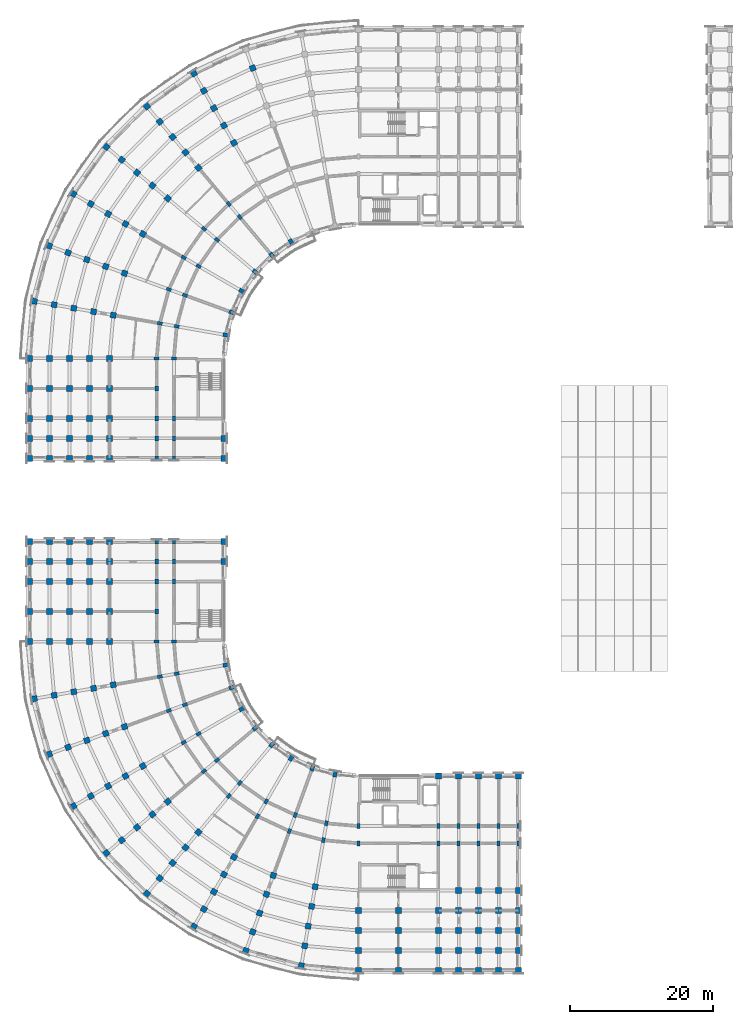
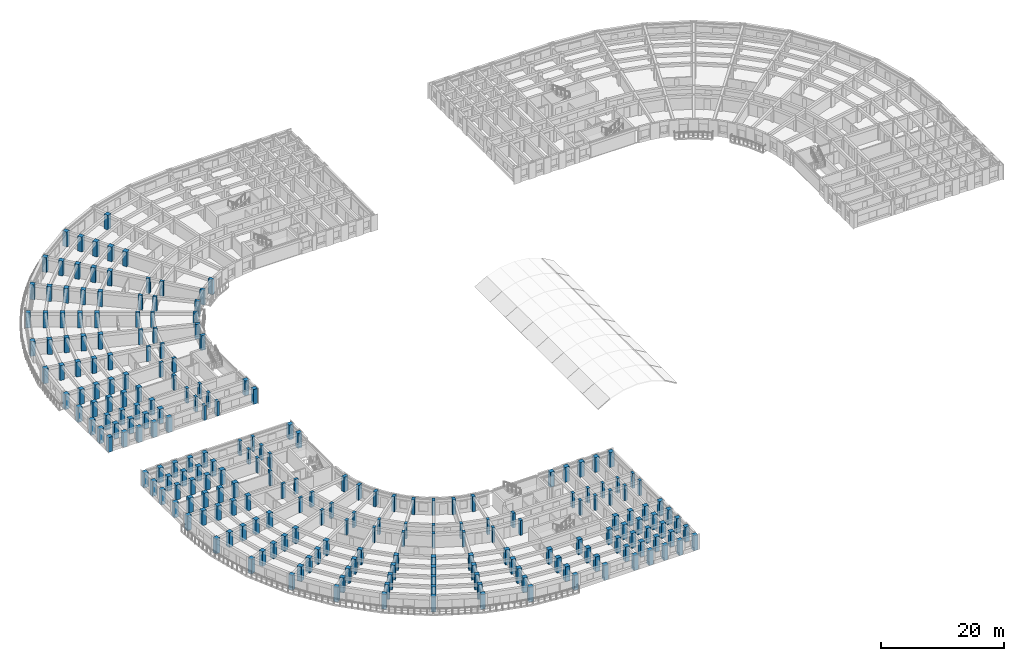
# One storey, part 1 of 54: 232 columns.
"""IFC4 building model written with IfcOpenShell, lengths in metres."""

from ifc_helpers import new_model, si_unit, direction, frame, origin, origin_2d, place, context, subcontext, project, spatial, rectangle, extrude, material, material_profile, profile_set, type_object, element, save


model = new_model("IFC4")

# Units and contexts
model_context = context("Model", 3, precision=1e-05, world=origin(), true_north=direction((0.0, 1.0)))
body_context = subcontext(model_context, "Body", "Model", "MODEL_VIEW")
ifc_project = project(units=[si_unit("LENGTHUNIT", "METRE"), si_unit("AREAUNIT", "SQUARE_METRE"), si_unit("VOLUMEUNIT", "CUBIC_METRE"), si_unit("PLANEANGLEUNIT", "RADIAN"), si_unit("MASSUNIT", "GRAM", prefix="KILO")], contexts=[model_context])

# Site, building, storey
site_placement = place(None, origin())
site = spatial("IfcSite", under=ifc_project, at=site_placement, CompositionType="ELEMENT")
building_placement = place(site_placement, origin())
building = spatial("IfcBuilding", under=site, at=building_placement, Name="Kiranvali Square Residences", CompositionType="ELEMENT")
storey_placement = place(building_placement, frame((0.0, 0.0, 15.0)))
storey = spatial("IfcBuildingStorey", under=building, at=storey_placement, Name="L04", CompositionType="ELEMENT", Elevation=15.0)

# Columns
ifc_material_1 = material(Name="Concrete M45 (45 MPa)", Category="concrete")
ifc_material_profile_1 = material_profile(ifc_material_1, rectangle(XDim=0.449951171875, YDim=0.699951171875, at=origin_2d()), Name="RC 700x450")
ifc_profile_set_1 = profile_set([ifc_material_profile_1], Name="Concrete M45 (45 MPa)")
column_type_1 = type_object("IfcColumnType", Name="COL-M45-700x450", PredefinedType="COLUMN", material=ifc_profile_set_1)
for number, where, z_axis, x_axis, name in (
    (1, (31.615966796875, 107.56396484375, 0.0), (0.0, 0.0, 1.0), (0.766044443119, 0.642787609687, 0.0), "Block A L04 radial column A04-R1"),
    (2, (30.073486328125, 109.40234375, 0.0), (0.0, 0.0, 1.0), (0.766044443119, 0.642787609687, 0.0), "Block A L04 radial column A04-R2"),
    (3, (28.43603515625, 104.384033203125, 0.0), (0.0, 0.0, 1.0), (0.642787609687, 0.766044443119, 0.0), "Block A L04 radial column A05-R1"),
    (4, (26.59765625, 105.926513671875, 0.0), (0.0, 0.0, 1.0), (0.642787609687, 0.766044443119, 0.0), "Block A L04 radial column A05-R2"),
    (5, (25.8564453125, 100.699951171875, 0.0), (0.0, 0.0, 1.0), (0.5, 0.866025403784, 0.0), "Block A L04 radial column A06-R1"),
    (6, (23.778076171875, 101.89990234375, 0.0), (0.0, 0.0, 1.0), (0.5, 0.866025403784, 0.0), "Block A L04 radial column A06-R2"),
    (7, (23.955810546875, 96.6240234375, 0.0), (0.0, 0.0, 1.0), (0.342020143326, 0.939692620786, 0.0), "Block A L04 radial column A07-R1"),
    (8, (21.70068359375, 97.445068359375, 0.0), (0.0, 0.0, 1.0), (0.342020143326, 0.939692620786, 0.0), "Block A L04 radial column A07-R2"),
    (9, (22.7919921875, 92.280029296875, 0.0), (0.0, 0.0, 1.0), (0.173648177667, 0.984807753012, 0.0), "Block A L04 radial column A08-R1"),
    (10, (20.428466796875, 92.69677734375, 0.0), (0.0, 0.0, 1.0), (0.173648177667, 0.984807753012, 0.0), "Block A L04 radial column A08-R2"),
    (11, (22.39990234375, 87.800048828125, 0.0), (0.0, 0.0, 1.0), (0.0, 1.0, 0.0), "Block A L04 radial column A09-R1"),
    (12, (20.0, 87.800048828125, 0.0), (0.0, 0.0, 1.0), (0.0, 1.0, 0.0), "Block A L04 radial column A09-R2"),
    (13, (20.0, 83.60009765625, 0.0), (0.0, 0.0, 1.0), (1.0, 0.0, 0.0), "Block A L04 Arm 2 mid-core column V0-R2"),
    (14, (22.39990234375, 79.39990234375, 0.0), (0.0, 0.0, 1.0), (1.0, 0.0, 0.0), "Block A L04 Arm 2 column V1-R1"),
    (15, (20.0, 79.39990234375, 0.0), (0.0, 0.0, 1.0), (1.0, 0.0, 0.0), "Block A L04 Arm 2 column V1-R2"),
    (16, (22.39990234375, 76.60009765625, 0.0), (0.0, 0.0, 1.0), (1.0, 0.0, 0.0), "Block A L04 Arm 2 column V2-R1"),
    (17, (20.0, 76.60009765625, 0.0), (0.0, 0.0, 1.0), (1.0, 0.0, 0.0), "Block A L04 Arm 2 column V2-R2"),
    (18, (22.39990234375, 73.800048828125, 0.0), (0.0, 0.0, 1.0), (1.0, 0.0, 0.0), "Block A L04 Arm 2 column V3-R1"),
    (19, (20.0, 73.800048828125, 0.0), (0.0, 0.0, 1.0), (1.0, 0.0, 0.0), "Block A L04 Arm 2 column V3-R2"),
    (20, (48.199951171875, 22.39990234375, 0.0), (0.0, 0.0, 1.0), (1.0, 0.0, 0.0), "Block C L04 radial column A00-R1"),
    (21, (48.199951171875, 20.0, 0.0), (0.0, 0.0, 1.0), (1.0, 0.0, 0.0), "Block C L04 radial column A00-R2"),
    (22, (43.719970703125, 22.7919921875, 0.0), (0.0, 0.0, 1.0), (-0.984807753012, 0.173648177667, 0.0), "Block C L04 radial column A01-R1"),
    (23, (43.30322265625, 20.428466796875, 0.0), (0.0, 0.0, 1.0), (-0.984807753012, 0.173648177667, 0.0), "Block C L04 radial column A01-R2"),
    (24, (39.3759765625, 23.955810546875, 0.0), (0.0, 0.0, 1.0), (-0.939692620786, 0.342020143326, 0.0), "Block C L04 radial column A02-R1"),
    (25, (38.554931640625, 21.70068359375, 0.0), (0.0, 0.0, 1.0), (-0.939692620786, 0.342020143326, 0.0), "Block C L04 radial column A02-R2"),
    (26, (35.300048828125, 25.8564453125, 0.0), (0.0, 0.0, 1.0), (-0.866025403784, 0.5, 0.0), "Block C L04 radial column A03-R1"),
    (27, (34.10009765625, 23.778076171875, 0.0), (0.0, 0.0, 1.0), (-0.866025403784, 0.5, 0.0), "Block C L04 radial column A03-R2"),
    (28, (31.615966796875, 28.43603515625, 0.0), (0.0, 0.0, 1.0), (-0.766044443119, 0.642787609687, 0.0), "Block C L04 radial column A04-R1"),
    (29, (30.073486328125, 26.59765625, 0.0), (0.0, 0.0, 1.0), (-0.766044443119, 0.642787609687, 0.0), "Block C L04 radial column A04-R2"),
    (30, (28.43603515625, 31.615966796875, 0.0), (0.0, 0.0, 1.0), (-0.642787609687, 0.766044443119, 0.0), "Block C L04 radial column A05-R1"),
    (31, (26.59765625, 30.073486328125, 0.0), (0.0, 0.0, 1.0), (-0.642787609687, 0.766044443119, 0.0), "Block C L04 radial column A05-R2"),
    (32, (25.8564453125, 35.300048828125, 0.0), (0.0, 0.0, 1.0), (-0.5, 0.866025403784, 0.0), "Block C L04 radial column A06-R1"),
    (33, (23.778076171875, 34.10009765625, 0.0), (0.0, 0.0, 1.0), (-0.5, 0.866025403784, 0.0), "Block C L04 radial column A06-R2"),
    (34, (23.955810546875, 39.3759765625, 0.0), (0.0, 0.0, 1.0), (-0.342020143326, 0.939692620786, 0.0), "Block C L04 radial column A07-R1"),
    (35, (21.70068359375, 38.554931640625, 0.0), (0.0, 0.0, 1.0), (-0.342020143326, 0.939692620786, 0.0), "Block C L04 radial column A07-R2"),
    (36, (22.7919921875, 43.719970703125, 0.0), (0.0, 0.0, 1.0), (-0.173648177667, 0.984807753012, 0.0), "Block C L04 radial column A08-R1"),
    (37, (20.428466796875, 43.30322265625, 0.0), (0.0, 0.0, 1.0), (-0.173648177667, 0.984807753012, 0.0), "Block C L04 radial column A08-R2"),
    (38, (22.39990234375, 48.199951171875, 0.0), (0.0, 0.0, 1.0), (0.0, 1.0, 0.0), "Block C L04 radial column A09-R1"),
    (39, (20.0, 48.199951171875, 0.0), (0.0, 0.0, 1.0), (0.0, 1.0, 0.0), "Block C L04 radial column A09-R2"),
    (40, (59.39990234375, 22.39990234375, 0.0), (0.0, 0.0, 1.0), (1.0, 0.0, 0.0), "Block C L04 Arm 1 column U1-R1"),
    (41, (59.39990234375, 20.0, 0.0), (0.0, 0.0, 1.0), (1.0, 0.0, 0.0), "Block C L04 Arm 1 column U1-R2"),
    (42, (62.199951171875, 22.39990234375, 0.0), (0.0, 0.0, 1.0), (1.0, 0.0, 0.0), "Block C L04 Arm 1 column U2-R1"),
    (43, (62.199951171875, 20.0, 0.0), (0.0, 0.0, 1.0), (1.0, 0.0, 0.0), "Block C L04 Arm 1 column U2-R2"),
    (44, (65.0, 22.39990234375, 0.0), (0.0, 0.0, 1.0), (1.0, 0.0, 0.0), "Block C L04 Arm 1 column U3-R1"),
    (45, (65.0, 20.0, 0.0), (0.0, 0.0, 1.0), (1.0, 0.0, 0.0), "Block C L04 Arm 1 column U3-R2"),
    (46, (67.800048828125, 22.39990234375, 0.0), (0.0, 0.0, 1.0), (1.0, 0.0, 0.0), "Block C L04 Arm 1 column U4-R1"),
    (47, (67.800048828125, 20.0, 0.0), (0.0, 0.0, 1.0), (1.0, 0.0, 0.0), "Block C L04 Arm 1 column U4-R2"),
    (48, (70.60009765625, 22.39990234375, 0.0), (0.0, 0.0, 1.0), (1.0, 0.0, 0.0), "Block C L04 Arm 1 column U5-R1"),
    (49, (70.60009765625, 20.0, 0.0), (0.0, 0.0, 1.0), (1.0, 0.0, 0.0), "Block C L04 Arm 1 column U5-R2"),
    (50, (20.0, 52.39990234375, 0.0), (0.0, 0.0, 1.0), (1.0, 0.0, 0.0), "Block C L04 Arm 2 mid-core column V0-R2"),
    (51, (22.39990234375, 56.60009765625, 0.0), (0.0, 0.0, 1.0), (1.0, 0.0, 0.0), "Block C L04 Arm 2 column V1-R1"),
    (52, (20.0, 56.60009765625, 0.0), (0.0, 0.0, 1.0), (1.0, 0.0, 0.0), "Block C L04 Arm 2 column V1-R2"),
    (53, (22.39990234375, 59.39990234375, 0.0), (0.0, 0.0, 1.0), (1.0, 0.0, 0.0), "Block C L04 Arm 2 column V2-R1"),
    (54, (20.0, 59.39990234375, 0.0), (0.0, 0.0, 1.0), (1.0, 0.0, 0.0), "Block C L04 Arm 2 column V2-R2"),
    (55, (22.39990234375, 62.199951171875, 0.0), (0.0, 0.0, 1.0), (1.0, 0.0, 0.0), "Block C L04 Arm 2 column V3-R1"),
    (56, (20.0, 62.199951171875, 0.0), (0.0, 0.0, 1.0), (1.0, 0.0, 0.0), "Block C L04 Arm 2 column V3-R2"),
):
    element("IfcColumn", number, at=place(storey_placement, frame(where, z_axis=z_axis, x_axis=x_axis)), inside=storey, type_object=column_type_1, Name=name, PredefinedType="COLUMN", context=body_context, shape_type="SweptSolid", body=[
        extrude(rectangle(XDim=0.449951171875, YDim=0.699951171875, at=origin_2d()), origin(), (0.0, 0.0, 1.0), 2.929931640625),
    ])
ifc_material_2 = material(Name="Concrete M50 (50 MPa)", Category="concrete")
ifc_material_profile_2 = material_profile(ifc_material_2, rectangle(XDim=0.800048828125, YDim=0.800048828125, at=origin_2d()), Name="RC 800x800")
ifc_profile_set_2 = profile_set([ifc_material_profile_2], Name="Concrete M50 (50 MPa)")
column_type_2 = type_object("IfcColumnType", Name="COL-M50-800", PredefinedType="COLUMN", material=ifc_profile_set_2)
for number, where, z_axis, x_axis, name in (
    (57, (33.4248046875, 128.394775390625, 0.0), (0.0, 0.0, 1.0), (0.939692620786, 0.342020143326, 0.0), "Block A L04 radial column A02-R6"),
    (58, (30.800048828125, 117.937744140625, 0.0), (0.0, 0.0, 1.0), (0.866025403784, 0.5, 0.0), "Block A L04 radial column A03-R3"),
    (59, (29.39990234375, 120.362548828125, 0.0), (0.0, 0.0, 1.0), (0.866025403784, 0.5, 0.0), "Block A L04 radial column A03-R4"),
    (60, (28.0, 122.787353515625, 0.0), (0.0, 0.0, 1.0), (0.866025403784, 0.5, 0.0), "Block A L04 radial column A03-R5"),
    (61, (26.60009765625, 125.21240234375, 0.0), (0.0, 0.0, 1.0), (0.866025403784, 0.5, 0.0), "Block A L04 radial column A03-R6"),
    (62, (25.199951171875, 127.63720703125, 0.0), (0.0, 0.0, 1.0), (0.866025403784, 0.5, 0.0), "Block A L04 radial column A03-R7"),
    (63, (25.8310546875, 114.458251953125, 0.0), (0.0, 0.0, 1.0), (0.766044443119, 0.642787609687, 0.0), "Block A L04 radial column A04-R3"),
    (64, (24.03125, 116.603271484375, 0.0), (0.0, 0.0, 1.0), (0.766044443119, 0.642787609687, 0.0), "Block A L04 radial column A04-R4"),
    (65, (22.2314453125, 118.748291015625, 0.0), (0.0, 0.0, 1.0), (0.766044443119, 0.642787609687, 0.0), "Block A L04 radial column A04-R5"),
    (66, (20.431640625, 120.89306640625, 0.0), (0.0, 0.0, 1.0), (0.766044443119, 0.642787609687, 0.0), "Block A L04 radial column A04-R6"),
    (67, (18.6318359375, 123.0380859375, 0.0), (0.0, 0.0, 1.0), (0.766044443119, 0.642787609687, 0.0), "Block A L04 radial column A04-R7"),
    (68, (21.541748046875, 110.1689453125, 0.0), (0.0, 0.0, 1.0), (0.642787609687, 0.766044443119, 0.0), "Block A L04 radial column A05-R3"),
    (69, (19.396728515625, 111.96875, 0.0), (0.0, 0.0, 1.0), (0.642787609687, 0.766044443119, 0.0), "Block A L04 radial column A05-R4"),
    (70, (17.251708984375, 113.7685546875, 0.0), (0.0, 0.0, 1.0), (0.642787609687, 0.766044443119, 0.0), "Block A L04 radial column A05-R5"),
    (71, (15.10693359375, 115.568359375, 0.0), (0.0, 0.0, 1.0), (0.642787609687, 0.766044443119, 0.0), "Block A L04 radial column A05-R6"),
    (72, (12.9619140625, 117.3681640625, 0.0), (0.0, 0.0, 1.0), (0.642787609687, 0.766044443119, 0.0), "Block A L04 radial column A05-R7"),
    (73, (18.062255859375, 105.199951171875, 0.0), (0.0, 0.0, 1.0), (0.5, 0.866025403784, 0.0), "Block A L04 radial column A06-R3"),
    (74, (15.637451171875, 106.60009765625, 0.0), (0.0, 0.0, 1.0), (0.5, 0.866025403784, 0.0), "Block A L04 radial column A06-R4"),
    (75, (13.212646484375, 108.0, 0.0), (0.0, 0.0, 1.0), (0.5, 0.866025403784, 0.0), "Block A L04 radial column A06-R5"),
    (76, (10.78759765625, 109.39990234375, 0.0), (0.0, 0.0, 1.0), (0.5, 0.866025403784, 0.0), "Block A L04 radial column A06-R6"),
    (77, (8.36279296875, 110.800048828125, 0.0), (0.0, 0.0, 1.0), (0.5, 0.866025403784, 0.0), "Block A L04 radial column A06-R7"),
    (78, (15.498779296875, 99.702392578125, 0.0), (0.0, 0.0, 1.0), (0.342020143326, 0.939692620786, 0.0), "Block A L04 radial column A07-R3"),
    (79, (12.86767578125, 100.659912109375, 0.0), (0.0, 0.0, 1.0), (0.342020143326, 0.939692620786, 0.0), "Block A L04 radial column A07-R4"),
    (80, (10.236328125, 101.61767578125, 0.0), (0.0, 0.0, 1.0), (0.342020143326, 0.939692620786, 0.0), "Block A L04 radial column A07-R5"),
    (81, (7.605224609375, 102.5751953125, 0.0), (0.0, 0.0, 1.0), (0.342020143326, 0.939692620786, 0.0), "Block A L04 radial column A07-R6"),
    (82, (4.97412109375, 103.532958984375, 0.0), (0.0, 0.0, 1.0), (0.342020143326, 0.939692620786, 0.0), "Block A L04 radial column A07-R7"),
    (83, (13.9287109375, 93.843017578125, 0.0), (0.0, 0.0, 1.0), (0.173648177667, 0.984807753012, 0.0), "Block A L04 radial column A08-R3"),
    (84, (11.171142578125, 94.3291015625, 0.0), (0.0, 0.0, 1.0), (0.173648177667, 0.984807753012, 0.0), "Block A L04 radial column A08-R4"),
    (85, (8.413818359375, 94.8154296875, 0.0), (0.0, 0.0, 1.0), (0.173648177667, 0.984807753012, 0.0), "Block A L04 radial column A08-R5"),
    (86, (5.65625, 95.301513671875, 0.0), (0.0, 0.0, 1.0), (0.173648177667, 0.984807753012, 0.0), "Block A L04 radial column A08-R6"),
    (87, (2.89892578125, 95.787841796875, 0.0), (0.0, 0.0, 1.0), (0.173648177667, 0.984807753012, 0.0), "Block A L04 radial column A08-R7"),
    (88, (13.39990234375, 87.800048828125, 0.0), (0.0, 0.0, 1.0), (0.0, 1.0, 0.0), "Block A L04 radial column A09-R3"),
    (89, (10.60009765625, 87.800048828125, 0.0), (0.0, 0.0, 1.0), (0.0, 1.0, 0.0), "Block A L04 radial column A09-R4"),
    (90, (7.800048828125, 87.800048828125, 0.0), (0.0, 0.0, 1.0), (0.0, 1.0, 0.0), "Block A L04 radial column A09-R5"),
    (91, (5.0, 87.800048828125, 0.0), (0.0, 0.0, 1.0), (0.0, 1.0, 0.0), "Block A L04 radial column A09-R6"),
    (92, (2.199951171875, 87.800048828125, 0.0), (0.0, 0.0, 1.0), (0.0, 1.0, 0.0), "Block A L04 radial column A09-R7"),
    (93, (13.39990234375, 83.60009765625, 0.0), (0.0, 0.0, 1.0), (1.0, 0.0, 0.0), "Block A L04 Arm 2 mid-core column V0-R3"),
    (94, (10.60009765625, 83.60009765625, 0.0), (0.0, 0.0, 1.0), (1.0, 0.0, 0.0), "Block A L04 Arm 2 mid-core column V0-R4"),
    (95, (7.800048828125, 83.60009765625, 0.0), (0.0, 0.0, 1.0), (1.0, 0.0, 0.0), "Block A L04 Arm 2 mid-core column V0-R5"),
    (96, (5.0, 83.60009765625, 0.0), (0.0, 0.0, 1.0), (1.0, 0.0, 0.0), "Block A L04 Arm 2 mid-core column V0-R6"),
    (97, (2.199951171875, 83.60009765625, 0.0), (0.0, 0.0, 1.0), (1.0, 0.0, 0.0), "Block A L04 Arm 2 mid-core column V0-R7"),
    (98, (13.39990234375, 79.39990234375, 0.0), (0.0, 0.0, 1.0), (1.0, 0.0, 0.0), "Block A L04 Arm 2 column V1-R3"),
    (99, (10.60009765625, 79.39990234375, 0.0), (0.0, 0.0, 1.0), (1.0, 0.0, 0.0), "Block A L04 Arm 2 column V1-R4"),
    (100, (7.800048828125, 79.39990234375, 0.0), (0.0, 0.0, 1.0), (1.0, 0.0, 0.0), "Block A L04 Arm 2 column V1-R5"),
    (101, (5.0, 79.39990234375, 0.0), (0.0, 0.0, 1.0), (1.0, 0.0, 0.0), "Block A L04 Arm 2 column V1-R6"),
    (102, (2.199951171875, 79.39990234375, 0.0), (0.0, 0.0, 1.0), (1.0, 0.0, 0.0), "Block A L04 Arm 2 column V1-R7"),
    (103, (29.39990234375, 76.60009765625, 0.0), (0.0, 0.0, 1.0), (1.0, 0.0, 0.0), "Block A L04 Arm 2 column V2-R0"),
    (104, (13.39990234375, 76.60009765625, 0.0), (0.0, 0.0, 1.0), (1.0, 0.0, 0.0), "Block A L04 Arm 2 column V2-R3"),
    (105, (10.60009765625, 76.60009765625, 0.0), (0.0, 0.0, 1.0), (1.0, 0.0, 0.0), "Block A L04 Arm 2 column V2-R4"),
    (106, (7.800048828125, 76.60009765625, 0.0), (0.0, 0.0, 1.0), (1.0, 0.0, 0.0), "Block A L04 Arm 2 column V2-R5"),
    (107, (5.0, 76.60009765625, 0.0), (0.0, 0.0, 1.0), (1.0, 0.0, 0.0), "Block A L04 Arm 2 column V2-R6"),
    (108, (2.199951171875, 76.60009765625, 0.0), (0.0, 0.0, 1.0), (1.0, 0.0, 0.0), "Block A L04 Arm 2 column V2-R7"),
    (109, (29.39990234375, 73.800048828125, 0.0), (0.0, 0.0, 1.0), (1.0, 0.0, 0.0), "Block A L04 Arm 2 column V3-R0"),
    (110, (13.39990234375, 73.800048828125, 0.0), (0.0, 0.0, 1.0), (1.0, 0.0, 0.0), "Block A L04 Arm 2 column V3-R3"),
    (111, (10.60009765625, 73.800048828125, 0.0), (0.0, 0.0, 1.0), (1.0, 0.0, 0.0), "Block A L04 Arm 2 column V3-R4"),
    (112, (7.800048828125, 73.800048828125, 0.0), (0.0, 0.0, 1.0), (1.0, 0.0, 0.0), "Block A L04 Arm 2 column V3-R5"),
    (113, (5.0, 73.800048828125, 0.0), (0.0, 0.0, 1.0), (1.0, 0.0, 0.0), "Block A L04 Arm 2 column V3-R6"),
    (114, (2.199951171875, 73.800048828125, 0.0), (0.0, 0.0, 1.0), (1.0, 0.0, 0.0), "Block A L04 Arm 2 column V3-R7"),
    (115, (48.199951171875, 10.60009765625, 0.0), (0.0, 0.0, 1.0), (1.0, 0.0, 0.0), "Block C L04 radial column A00-R4"),
    (116, (48.199951171875, 7.800048828125, 0.0), (0.0, 0.0, 1.0), (1.0, 0.0, 0.0), "Block C L04 radial column A00-R5"),
    (117, (48.199951171875, 5.0, 0.0), (0.0, 0.0, 1.0), (1.0, 0.0, 0.0), "Block C L04 radial column A00-R6"),
    (118, (48.199951171875, 2.199951171875, 0.0), (0.0, 0.0, 1.0), (1.0, 0.0, 0.0), "Block C L04 radial column A00-R7"),
    (119, (42.156982421875, 13.9287109375, 0.0), (0.0, 0.0, 1.0), (-0.984807753012, 0.173648177667, 0.0), "Block C L04 radial column A01-R3"),
    (120, (41.6708984375, 11.171142578125, 0.0), (0.0, 0.0, 1.0), (-0.984807753012, 0.173648177667, 0.0), "Block C L04 radial column A01-R4"),
    (121, (41.1845703125, 8.413818359375, 0.0), (0.0, 0.0, 1.0), (-0.984807753012, 0.173648177667, 0.0), "Block C L04 radial column A01-R5"),
    (122, (40.698486328125, 5.65625, 0.0), (0.0, 0.0, 1.0), (-0.984807753012, 0.173648177667, 0.0), "Block C L04 radial column A01-R6"),
    (123, (40.212158203125, 2.89892578125, 0.0), (0.0, 0.0, 1.0), (-0.984807753012, 0.173648177667, 0.0), "Block C L04 radial column A01-R7"),
    (124, (36.297607421875, 15.498779296875, 0.0), (0.0, 0.0, 1.0), (-0.939692620786, 0.342020143326, 0.0), "Block C L04 radial column A02-R3"),
    (125, (35.340087890625, 12.86767578125, 0.0), (0.0, 0.0, 1.0), (-0.939692620786, 0.342020143326, 0.0), "Block C L04 radial column A02-R4"),
    (126, (34.38232421875, 10.236328125, 0.0), (0.0, 0.0, 1.0), (-0.939692620786, 0.342020143326, 0.0), "Block C L04 radial column A02-R5"),
    (127, (33.4248046875, 7.605224609375, 0.0), (0.0, 0.0, 1.0), (-0.939692620786, 0.342020143326, 0.0), "Block C L04 radial column A02-R6"),
    (128, (32.467041015625, 4.97412109375, 0.0), (0.0, 0.0, 1.0), (-0.939692620786, 0.342020143326, 0.0), "Block C L04 radial column A02-R7"),
    (129, (30.800048828125, 18.062255859375, 0.0), (0.0, 0.0, 1.0), (-0.866025403784, 0.5, 0.0), "Block C L04 radial column A03-R3"),
    (130, (29.39990234375, 15.637451171875, 0.0), (0.0, 0.0, 1.0), (-0.866025403784, 0.5, 0.0), "Block C L04 radial column A03-R4"),
    (131, (28.0, 13.212646484375, 0.0), (0.0, 0.0, 1.0), (-0.866025403784, 0.5, 0.0), "Block C L04 radial column A03-R5"),
    (132, (26.60009765625, 10.78759765625, 0.0), (0.0, 0.0, 1.0), (-0.866025403784, 0.5, 0.0), "Block C L04 radial column A03-R6"),
    (133, (25.199951171875, 8.36279296875, 0.0), (0.0, 0.0, 1.0), (-0.866025403784, 0.5, 0.0), "Block C L04 radial column A03-R7"),
    (134, (25.8310546875, 21.541748046875, 0.0), (0.0, 0.0, 1.0), (-0.766044443119, 0.642787609687, 0.0), "Block C L04 radial column A04-R3"),
    (135, (24.03125, 19.396728515625, 0.0), (0.0, 0.0, 1.0), (-0.766044443119, 0.642787609687, 0.0), "Block C L04 radial column A04-R4"),
    (136, (22.2314453125, 17.251708984375, 0.0), (0.0, 0.0, 1.0), (-0.766044443119, 0.642787609687, 0.0), "Block C L04 radial column A04-R5"),
    (137, (20.431640625, 15.10693359375, 0.0), (0.0, 0.0, 1.0), (-0.766044443119, 0.642787609687, 0.0), "Block C L04 radial column A04-R6"),
    (138, (18.6318359375, 12.9619140625, 0.0), (0.0, 0.0, 1.0), (-0.766044443119, 0.642787609687, 0.0), "Block C L04 radial column A04-R7"),
    (139, (21.541748046875, 25.8310546875, 0.0), (0.0, 0.0, 1.0), (-0.642787609687, 0.766044443119, 0.0), "Block C L04 radial column A05-R3"),
    (140, (19.396728515625, 24.03125, 0.0), (0.0, 0.0, 1.0), (-0.642787609687, 0.766044443119, 0.0), "Block C L04 radial column A05-R4"),
    (141, (17.251708984375, 22.2314453125, 0.0), (0.0, 0.0, 1.0), (-0.642787609687, 0.766044443119, 0.0), "Block C L04 radial column A05-R5"),
    (142, (15.10693359375, 20.431640625, 0.0), (0.0, 0.0, 1.0), (-0.642787609687, 0.766044443119, 0.0), "Block C L04 radial column A05-R6"),
    (143, (12.9619140625, 18.6318359375, 0.0), (0.0, 0.0, 1.0), (-0.642787609687, 0.766044443119, 0.0), "Block C L04 radial column A05-R7"),
    (144, (18.062255859375, 30.800048828125, 0.0), (0.0, 0.0, 1.0), (-0.5, 0.866025403784, 0.0), "Block C L04 radial column A06-R3"),
    (145, (15.637451171875, 29.39990234375, 0.0), (0.0, 0.0, 1.0), (-0.5, 0.866025403784, 0.0), "Block C L04 radial column A06-R4"),
    (146, (13.212646484375, 28.0, 0.0), (0.0, 0.0, 1.0), (-0.5, 0.866025403784, 0.0), "Block C L04 radial column A06-R5"),
    (147, (10.78759765625, 26.60009765625, 0.0), (0.0, 0.0, 1.0), (-0.5, 0.866025403784, 0.0), "Block C L04 radial column A06-R6"),
    (148, (8.36279296875, 25.199951171875, 0.0), (0.0, 0.0, 1.0), (-0.5, 0.866025403784, 0.0), "Block C L04 radial column A06-R7"),
    (149, (15.498779296875, 36.297607421875, 0.0), (0.0, 0.0, 1.0), (-0.342020143326, 0.939692620786, 0.0), "Block C L04 radial column A07-R3"),
    (150, (12.86767578125, 35.340087890625, 0.0), (0.0, 0.0, 1.0), (-0.342020143326, 0.939692620786, 0.0), "Block C L04 radial column A07-R4"),
    (151, (10.236328125, 34.38232421875, 0.0), (0.0, 0.0, 1.0), (-0.342020143326, 0.939692620786, 0.0), "Block C L04 radial column A07-R5"),
    (152, (7.605224609375, 33.4248046875, 0.0), (0.0, 0.0, 1.0), (-0.342020143326, 0.939692620786, 0.0), "Block C L04 radial column A07-R6"),
    (153, (4.97412109375, 32.467041015625, 0.0), (0.0, 0.0, 1.0), (-0.342020143326, 0.939692620786, 0.0), "Block C L04 radial column A07-R7"),
    (154, (13.9287109375, 42.156982421875, 0.0), (0.0, 0.0, 1.0), (-0.173648177667, 0.984807753012, 0.0), "Block C L04 radial column A08-R3"),
    (155, (11.171142578125, 41.6708984375, 0.0), (0.0, 0.0, 1.0), (-0.173648177667, 0.984807753012, 0.0), "Block C L04 radial column A08-R4"),
    (156, (8.413818359375, 41.1845703125, 0.0), (0.0, 0.0, 1.0), (-0.173648177667, 0.984807753012, 0.0), "Block C L04 radial column A08-R5"),
    (157, (5.65625, 40.698486328125, 0.0), (0.0, 0.0, 1.0), (-0.173648177667, 0.984807753012, 0.0), "Block C L04 radial column A08-R6"),
    (158, (2.89892578125, 40.212158203125, 0.0), (0.0, 0.0, 1.0), (-0.173648177667, 0.984807753012, 0.0), "Block C L04 radial column A08-R7"),
    (159, (13.39990234375, 48.199951171875, 0.0), (0.0, 0.0, 1.0), (0.0, 1.0, 0.0), "Block C L04 radial column A09-R3"),
    (160, (10.60009765625, 48.199951171875, 0.0), (0.0, 0.0, 1.0), (0.0, 1.0, 0.0), "Block C L04 radial column A09-R4"),
    (161, (7.800048828125, 48.199951171875, 0.0), (0.0, 0.0, 1.0), (0.0, 1.0, 0.0), "Block C L04 radial column A09-R5"),
    (162, (5.0, 48.199951171875, 0.0), (0.0, 0.0, 1.0), (0.0, 1.0, 0.0), "Block C L04 radial column A09-R6"),
    (163, (2.199951171875, 48.199951171875, 0.0), (0.0, 0.0, 1.0), (0.0, 1.0, 0.0), "Block C L04 radial column A09-R7"),
    (164, (53.800048828125, 10.60009765625, 0.0), (0.0, 0.0, 1.0), (1.0, 0.0, 0.0), "Block C L04 core-front column U0-R4"),
    (165, (53.800048828125, 7.800048828125, 0.0), (0.0, 0.0, 1.0), (1.0, 0.0, 0.0), "Block C L04 core-front column U0-R5"),
    (166, (53.800048828125, 5.0, 0.0), (0.0, 0.0, 1.0), (1.0, 0.0, 0.0), "Block C L04 core-front column U0-R6"),
    (167, (53.800048828125, 2.199951171875, 0.0), (0.0, 0.0, 1.0), (1.0, 0.0, 0.0), "Block C L04 core-front column U0-R7"),
    (168, (59.39990234375, 29.39990234375, 0.0), (0.0, 0.0, 1.0), (1.0, 0.0, 0.0), "Block C L04 Arm 1 column U1-R0"),
    (169, (59.39990234375, 10.60009765625, 0.0), (0.0, 0.0, 1.0), (1.0, 0.0, 0.0), "Block C L04 Arm 1 column U1-R4"),
    (170, (59.39990234375, 7.800048828125, 0.0), (0.0, 0.0, 1.0), (1.0, 0.0, 0.0), "Block C L04 Arm 1 column U1-R5"),
    (171, (59.39990234375, 5.0, 0.0), (0.0, 0.0, 1.0), (1.0, 0.0, 0.0), "Block C L04 Arm 1 column U1-R6"),
    (172, (59.39990234375, 2.199951171875, 0.0), (0.0, 0.0, 1.0), (1.0, 0.0, 0.0), "Block C L04 Arm 1 column U1-R7"),
    (173, (62.199951171875, 29.39990234375, 0.0), (0.0, 0.0, 1.0), (1.0, 0.0, 0.0), "Block C L04 Arm 1 column U2-R0"),
    (174, (62.199951171875, 13.39990234375, 0.0), (0.0, 0.0, 1.0), (1.0, 0.0, 0.0), "Block C L04 Arm 1 column U2-R3"),
    (175, (62.199951171875, 10.60009765625, 0.0), (0.0, 0.0, 1.0), (1.0, 0.0, 0.0), "Block C L04 Arm 1 column U2-R4"),
    (176, (62.199951171875, 7.800048828125, 0.0), (0.0, 0.0, 1.0), (1.0, 0.0, 0.0), "Block C L04 Arm 1 column U2-R5"),
    (177, (62.199951171875, 5.0, 0.0), (0.0, 0.0, 1.0), (1.0, 0.0, 0.0), "Block C L04 Arm 1 column U2-R6"),
    (178, (62.199951171875, 2.199951171875, 0.0), (0.0, 0.0, 1.0), (1.0, 0.0, 0.0), "Block C L04 Arm 1 column U2-R7"),
    (179, (65.0, 29.39990234375, 0.0), (0.0, 0.0, 1.0), (1.0, 0.0, 0.0), "Block C L04 Arm 1 column U3-R0"),
    (180, (65.0, 13.39990234375, 0.0), (0.0, 0.0, 1.0), (1.0, 0.0, 0.0), "Block C L04 Arm 1 column U3-R3"),
    (181, (65.0, 10.60009765625, 0.0), (0.0, 0.0, 1.0), (1.0, 0.0, 0.0), "Block C L04 Arm 1 column U3-R4"),
    (182, (65.0, 7.800048828125, 0.0), (0.0, 0.0, 1.0), (1.0, 0.0, 0.0), "Block C L04 Arm 1 column U3-R5"),
    (183, (65.0, 5.0, 0.0), (0.0, 0.0, 1.0), (1.0, 0.0, 0.0), "Block C L04 Arm 1 column U3-R6"),
    (184, (65.0, 2.199951171875, 0.0), (0.0, 0.0, 1.0), (1.0, 0.0, 0.0), "Block C L04 Arm 1 column U3-R7"),
    (185, (67.800048828125, 29.39990234375, 0.0), (0.0, 0.0, 1.0), (1.0, 0.0, 0.0), "Block C L04 Arm 1 column U4-R0"),
    (186, (67.800048828125, 13.39990234375, 0.0), (0.0, 0.0, 1.0), (1.0, 0.0, 0.0), "Block C L04 Arm 1 column U4-R3"),
    (187, (67.800048828125, 10.60009765625, 0.0), (0.0, 0.0, 1.0), (1.0, 0.0, 0.0), "Block C L04 Arm 1 column U4-R4"),
    (188, (67.800048828125, 7.800048828125, 0.0), (0.0, 0.0, 1.0), (1.0, 0.0, 0.0), "Block C L04 Arm 1 column U4-R5"),
    (189, (67.800048828125, 5.0, 0.0), (0.0, 0.0, 1.0), (1.0, 0.0, 0.0), "Block C L04 Arm 1 column U4-R6"),
    (190, (67.800048828125, 2.199951171875, 0.0), (0.0, 0.0, 1.0), (1.0, 0.0, 0.0), "Block C L04 Arm 1 column U4-R7"),
    (191, (70.60009765625, 29.39990234375, 0.0), (0.0, 0.0, 1.0), (1.0, 0.0, 0.0), "Block C L04 Arm 1 column U5-R0"),
    (192, (70.60009765625, 13.39990234375, 0.0), (0.0, 0.0, 1.0), (1.0, 0.0, 0.0), "Block C L04 Arm 1 column U5-R3"),
    (193, (70.60009765625, 10.60009765625, 0.0), (0.0, 0.0, 1.0), (1.0, 0.0, 0.0), "Block C L04 Arm 1 column U5-R4"),
    (194, (70.60009765625, 7.800048828125, 0.0), (0.0, 0.0, 1.0), (1.0, 0.0, 0.0), "Block C L04 Arm 1 column U5-R5"),
    (195, (70.60009765625, 5.0, 0.0), (0.0, 0.0, 1.0), (1.0, 0.0, 0.0), "Block C L04 Arm 1 column U5-R6"),
    (196, (70.60009765625, 2.199951171875, 0.0), (0.0, 0.0, 1.0), (1.0, 0.0, 0.0), "Block C L04 Arm 1 column U5-R7"),
    (197, (13.39990234375, 52.39990234375, 0.0), (0.0, 0.0, 1.0), (1.0, 0.0, 0.0), "Block C L04 Arm 2 mid-core column V0-R3"),
    (198, (10.60009765625, 52.39990234375, 0.0), (0.0, 0.0, 1.0), (1.0, 0.0, 0.0), "Block C L04 Arm 2 mid-core column V0-R4"),
    (199, (7.800048828125, 52.39990234375, 0.0), (0.0, 0.0, 1.0), (1.0, 0.0, 0.0), "Block C L04 Arm 2 mid-core column V0-R5"),
    (200, (5.0, 52.39990234375, 0.0), (0.0, 0.0, 1.0), (1.0, 0.0, 0.0), "Block C L04 Arm 2 mid-core column V0-R6"),
    (201, (2.199951171875, 52.39990234375, 0.0), (0.0, 0.0, 1.0), (1.0, 0.0, 0.0), "Block C L04 Arm 2 mid-core column V0-R7"),
    (202, (13.39990234375, 56.60009765625, 0.0), (0.0, 0.0, 1.0), (1.0, 0.0, 0.0), "Block C L04 Arm 2 column V1-R3"),
    (203, (10.60009765625, 56.60009765625, 0.0), (0.0, 0.0, 1.0), (1.0, 0.0, 0.0), "Block C L04 Arm 2 column V1-R4"),
    (204, (7.800048828125, 56.60009765625, 0.0), (0.0, 0.0, 1.0), (1.0, 0.0, 0.0), "Block C L04 Arm 2 column V1-R5"),
    (205, (5.0, 56.60009765625, 0.0), (0.0, 0.0, 1.0), (1.0, 0.0, 0.0), "Block C L04 Arm 2 column V1-R6"),
    (206, (2.199951171875, 56.60009765625, 0.0), (0.0, 0.0, 1.0), (1.0, 0.0, 0.0), "Block C L04 Arm 2 column V1-R7"),
    (207, (29.39990234375, 59.39990234375, 0.0), (0.0, 0.0, 1.0), (1.0, 0.0, 0.0), "Block C L04 Arm 2 column V2-R0"),
    (208, (13.39990234375, 59.39990234375, 0.0), (0.0, 0.0, 1.0), (1.0, 0.0, 0.0), "Block C L04 Arm 2 column V2-R3"),
    (209, (10.60009765625, 59.39990234375, 0.0), (0.0, 0.0, 1.0), (1.0, 0.0, 0.0), "Block C L04 Arm 2 column V2-R4"),
    (210, (7.800048828125, 59.39990234375, 0.0), (0.0, 0.0, 1.0), (1.0, 0.0, 0.0), "Block C L04 Arm 2 column V2-R5"),
    (211, (5.0, 59.39990234375, 0.0), (0.0, 0.0, 1.0), (1.0, 0.0, 0.0), "Block C L04 Arm 2 column V2-R6"),
    (212, (2.199951171875, 59.39990234375, 0.0), (0.0, 0.0, 1.0), (1.0, 0.0, 0.0), "Block C L04 Arm 2 column V2-R7"),
    (213, (29.39990234375, 62.199951171875, 0.0), (0.0, 0.0, 1.0), (1.0, 0.0, 0.0), "Block C L04 Arm 2 column V3-R0"),
    (214, (13.39990234375, 62.199951171875, 0.0), (0.0, 0.0, 1.0), (1.0, 0.0, 0.0), "Block C L04 Arm 2 column V3-R3"),
    (215, (10.60009765625, 62.199951171875, 0.0), (0.0, 0.0, 1.0), (1.0, 0.0, 0.0), "Block C L04 Arm 2 column V3-R4"),
    (216, (7.800048828125, 62.199951171875, 0.0), (0.0, 0.0, 1.0), (1.0, 0.0, 0.0), "Block C L04 Arm 2 column V3-R5"),
    (217, (5.0, 62.199951171875, 0.0), (0.0, 0.0, 1.0), (1.0, 0.0, 0.0), "Block C L04 Arm 2 column V3-R6"),
    (218, (2.199951171875, 62.199951171875, 0.0), (0.0, 0.0, 1.0), (1.0, 0.0, 0.0), "Block C L04 Arm 2 column V3-R7"),
):
    element("IfcColumn", number, at=place(storey_placement, frame(where, z_axis=z_axis, x_axis=x_axis)), inside=storey, type_object=column_type_2, Name=name, PredefinedType="COLUMN", context=body_context, shape_type="SweptSolid", body=[
        extrude(rectangle(XDim=0.800048828125, YDim=0.800048828125, at=origin_2d()), origin(), (0.0, 0.0, 1.0), 2.929931640625),
    ])
ifc_material_profile_3 = material_profile(ifc_material_2, rectangle(XDim=0.550048828125, YDim=0.85009765625, at=origin_2d()), Name="RC 850x550")
ifc_profile_set_3 = profile_set([ifc_material_profile_3], Name="Concrete M50 (50 MPa)")
column_type_3 = type_object("IfcColumnType", Name="COL-M50-850x550", PredefinedType="COLUMN", material=ifc_profile_set_3)
for number, where, z_axis, x_axis, name in (
    (219, (38.800048828125, 104.081298828125, 0.0), (0.0, 0.0, 1.0), (0.866025403784, 0.5, 0.0), "Block A L04 radial column A03-R0"),
    (220, (36.115478515625, 102.20166015625, 0.0), (0.0, 0.0, 1.0), (0.766044443119, 0.642787609687, 0.0), "Block A L04 radial column A04-R0"),
    (221, (33.79833984375, 99.884521484375, 0.0), (0.0, 0.0, 1.0), (0.642787609687, 0.766044443119, 0.0), "Block A L04 radial column A05-R0"),
    (222, (31.918701171875, 97.199951171875, 0.0), (0.0, 0.0, 1.0), (0.5, 0.866025403784, 0.0), "Block A L04 radial column A06-R0"),
    (223, (30.53369140625, 94.22998046875, 0.0), (0.0, 0.0, 1.0), (0.342020143326, 0.939692620786, 0.0), "Block A L04 radial column A07-R0"),
    (224, (29.685546875, 91.064697265625, 0.0), (0.0, 0.0, 1.0), (0.173648177667, 0.984807753012, 0.0), "Block A L04 radial column A08-R0"),
    (225, (44.935302734375, 29.685546875, 0.0), (0.0, 0.0, 1.0), (-0.984807753012, 0.173648177667, 0.0), "Block C L04 radial column A01-R0"),
    (226, (41.77001953125, 30.53369140625, 0.0), (0.0, 0.0, 1.0), (-0.939692620786, 0.342020143326, 0.0), "Block C L04 radial column A02-R0"),
    (227, (38.800048828125, 31.918701171875, 0.0), (0.0, 0.0, 1.0), (-0.866025403784, 0.5, 0.0), "Block C L04 radial column A03-R0"),
    (228, (36.115478515625, 33.79833984375, 0.0), (0.0, 0.0, 1.0), (-0.766044443119, 0.642787609687, 0.0), "Block C L04 radial column A04-R0"),
    (229, (33.79833984375, 36.115478515625, 0.0), (0.0, 0.0, 1.0), (-0.642787609687, 0.766044443119, 0.0), "Block C L04 radial column A05-R0"),
    (230, (31.918701171875, 38.800048828125, 0.0), (0.0, 0.0, 1.0), (-0.5, 0.866025403784, 0.0), "Block C L04 radial column A06-R0"),
    (231, (30.53369140625, 41.77001953125, 0.0), (0.0, 0.0, 1.0), (-0.342020143326, 0.939692620786, 0.0), "Block C L04 radial column A07-R0"),
    (232, (29.685546875, 44.935302734375, 0.0), (0.0, 0.0, 1.0), (-0.173648177667, 0.984807753012, 0.0), "Block C L04 radial column A08-R0"),
):
    element("IfcColumn", number, at=place(storey_placement, frame(where, z_axis=z_axis, x_axis=x_axis)), inside=storey, type_object=column_type_3, Name=name, PredefinedType="COLUMN", context=body_context, shape_type="SweptSolid", body=[
        extrude(rectangle(XDim=0.550048828125, YDim=0.85009765625, at=origin_2d()), origin(), (0.0, 0.0, 1.0), 2.929931640625),
    ])

save(model, "model.ifc")
